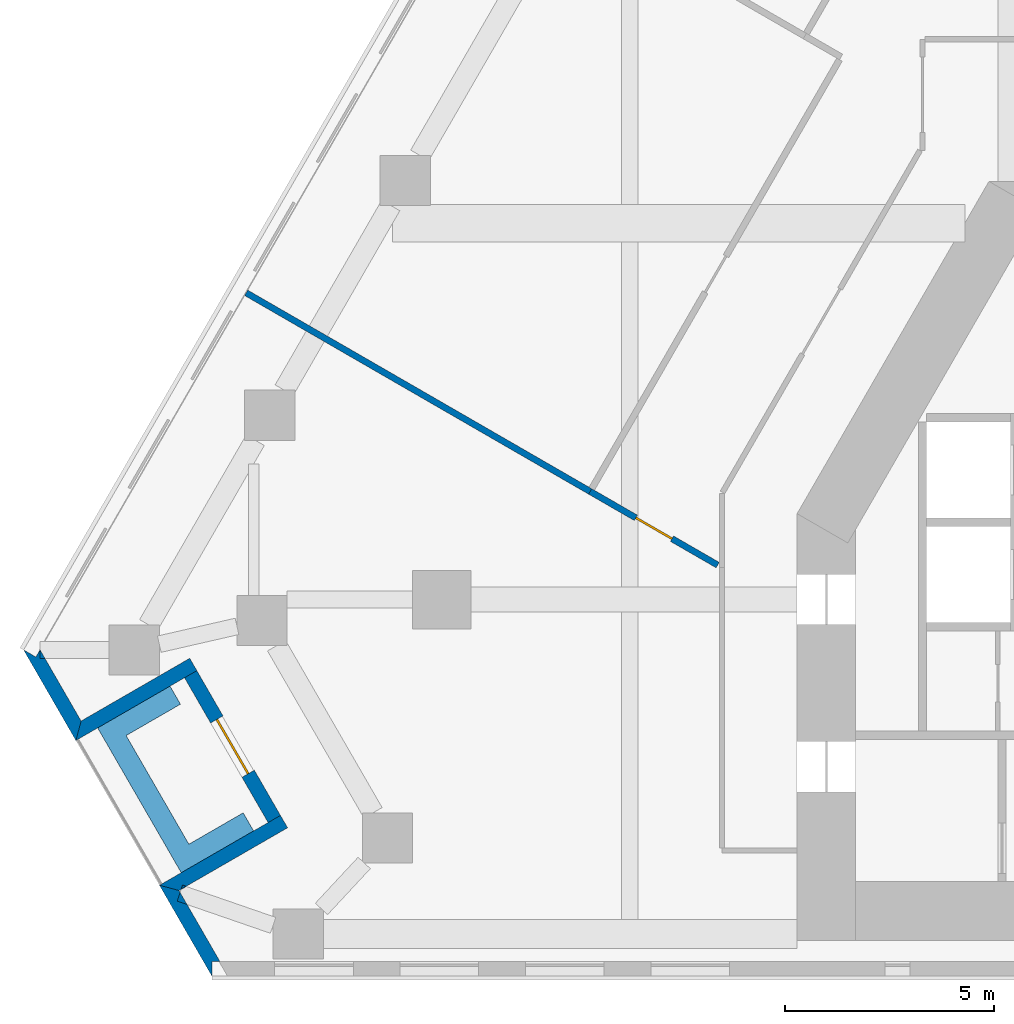
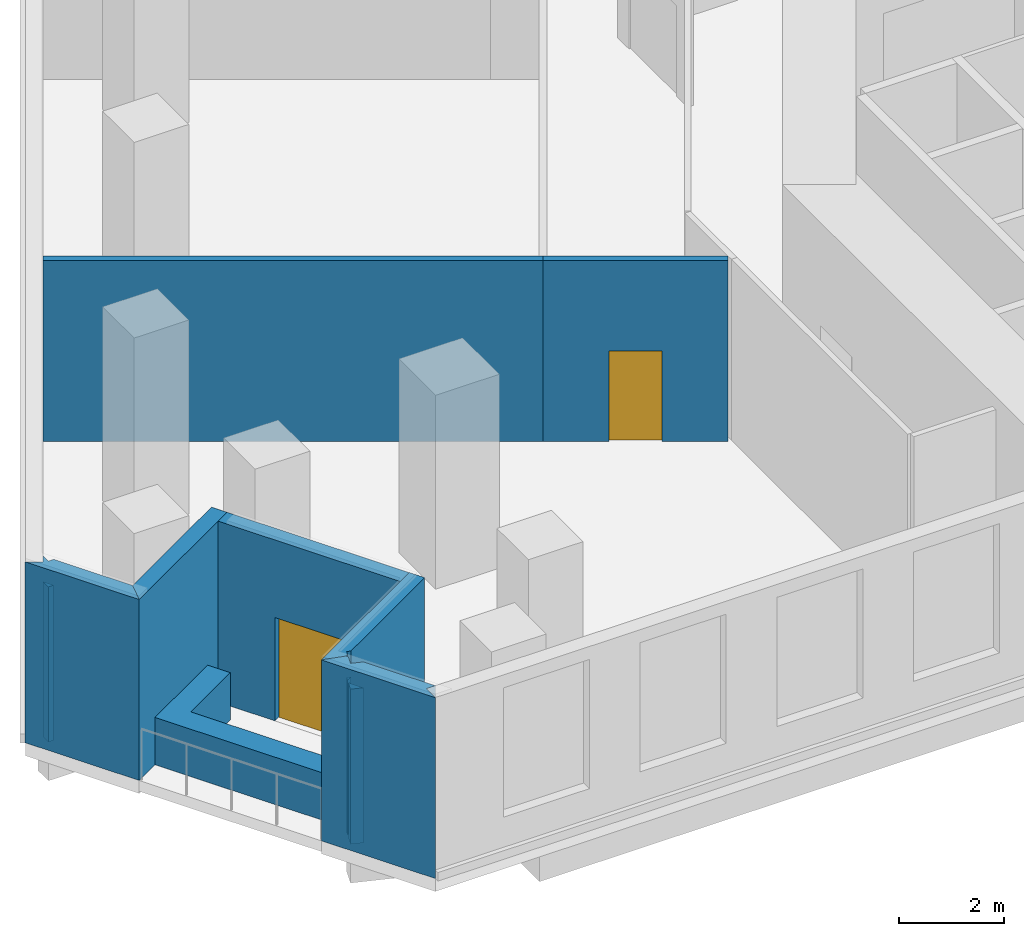
# One storey, part 3 of 14: 11 walls, 2 doors, 2 openings.
"""IFC4 building model written with IfcOpenShell, lengths in metres."""

from ifc_helpers import new_model, si_unit, direction, frame, frame_2d, origin, place, context, subcontext, project, spatial, polyline, rectangle, outline, extrude, material, layer, layer_set, type_object, element, fill, save


model = new_model("IFC4")

# Units and contexts
model_context = context("Model", 3, precision=1e-05, world=origin(), true_north=direction((0.0, 1.0)))
body_context = subcontext(model_context, "Body", "Model", "MODEL_VIEW")
ifc_project = project(units=[si_unit("LENGTHUNIT", "METRE"), si_unit("AREAUNIT", "SQUARE_METRE"), si_unit("VOLUMEUNIT", "CUBIC_METRE"), si_unit("PLANEANGLEUNIT", "RADIAN"), si_unit("MASSUNIT", "GRAM", prefix="KILO")], contexts=[model_context])

# Site, building, storey
site_placement = place(None, origin())
site = spatial("IfcSite", under=ifc_project, at=site_placement, CompositionType="ELEMENT")
building_placement = place(site_placement, origin())
building = spatial("IfcBuilding", under=site, at=building_placement, Name="Fogline Exchange Tower", CompositionType="ELEMENT")
storey_placement = place(building_placement, frame((0.0, 0.0, 34.0)))
storey = spatial("IfcBuildingStorey", under=building, at=storey_placement, Name="L06", CompositionType="ELEMENT", Elevation=34.0)

# Walls
ifc_material_1 = material(Name="Brick masonry", Category="masonry")
ifc_layer_1 = layer(ifc_material_1, 0.340087890625)
ifc_layer_set_1 = layer_set([ifc_layer_1], Name="FW1")
wall_type_1 = type_object("IfcWallType", Name="FW1", PredefinedType="SOLIDWALL", material=ifc_layer_set_1)
wall_1_placement = place(storey_placement, origin())
element("IfcWall", 1, at=wall_1_placement, inside=storey, type_object=wall_type_1, Name="Brick wall L06 SW-c1", PredefinedType="SOLIDWALL", context=body_context, shape_type="SweptSolid", body=[
    extrude(outline(polyline([(-31.9912109375, 7.59423828125), (-32.107421875, 7.59423828125), (-32.107421875, 7.79541015625), (-31.9912109375, 7.59423828125)])), origin(), (0.0, 0.0, 1.0), 3.60009765625),
])
wall_2_placement = place(storey_placement, origin())
element("IfcWall", 2, at=wall_2_placement, inside=storey, type_object=wall_type_1, Name="Brick wall L06 SW-c1", PredefinedType="SOLIDWALL", context=body_context, shape_type="SweptSolid", body=[
    extrude(outline(polyline([(-32.5009765625, 7.794921875), (-32.500732421875, 7.79541015625), (-32.205810546875, 7.625), (-32.107421875, 7.79541015625), (-32.107421875, 7.59423828125), (-31.9912109375, 7.59423828125), (-31.125, 6.09375), (-31.249755859375, 5.6279296875), (-31.25, 5.6279296875), (-32.5009765625, 7.794921875)])), origin(), (0.0, 0.0, 1.0), 4.199951171875),
])
wall_3_placement = place(storey_placement, origin())
element("IfcWall", 3, at=wall_3_placement, inside=storey, type_object=wall_type_1, Name="Brick wall L06 SW-s1", PredefinedType="SOLIDWALL", context=body_context, shape_type="SweptSolid", body=[
    extrude(outline(polyline([(-28.52734375, 7.594482421875), (-28.356689453125, 7.298828125), (-28.651611328125, 7.128662109375), (-31.25048828125, 5.628173828125), (-31.250732421875, 5.62841796875), (-31.1259765625, 6.093994140625), (-28.52734375, 7.594482421875)])), origin(), (0.0, 0.0, 1.0), 4.199951171875),
])

# Wall, opening, door
wall_4_placement = place(storey_placement, frame((-28.504638671875, 7.214111328125, 0.0), z_axis=(0.0, 0.0, 1.0), x_axis=(0.49999894854, -0.866026010844, 0.0)))
wall_4 = element("IfcWall", 4, at=wall_4_placement, inside=storey, type_object=wall_type_1, Name="Brick wall L06 SW-bk", PredefinedType="SOLIDWALL", context=body_context, shape_type="SweptSolid", body=[
    extrude(rectangle(XDim=4.0, YDim=0.340087890625, at=frame_2d((2.0, 0.0))), origin(), (0.0, 0.0, 1.0), 4.199951171875),
])
opening_1_placement = place(wall_4_placement, frame((1.25, 0.0, 0.0)))
opening_1 = element("IfcOpeningElement", 5, at=opening_1_placement, cuts=wall_4, Name="Opening T01-E021", PredefinedType="OPENING", context=body_context, shape_type="SweptSolid", body=[
    extrude(rectangle(XDim=1.5, YDim=2.39990234375, at=frame_2d((0.75, 1.199951171875))), frame((0.0, 0.18017578125, 0.0), z_axis=(0.0, -1.0, 0.0), x_axis=(1.0, 0.0, 0.0)), (0.0, 0.0, 1.0), 0.360107421875),
])
ifc_material_2 = material(Name="Aluminium and glass", Category="aluminium")
door_type_1 = type_object("IfcDoorType", Name="ED4", OperationType="SINGLE_SWING_LEFT", PredefinedType="DOOR", material=ifc_material_2)
door_1_placement = place(opening_1_placement, frame((1.5, 0.0, 0.0), z_axis=(0.0, 0.0, 1.0), x_axis=(-1.0, 0.0, 0.0)))
door_1 = element("IfcDoor", 6, at=door_1_placement, inside=storey, type_object=door_type_1, Name="Balcony door L06 SW", OperationType="DOUBLE_DOOR_SINGLE_SWING", OverallHeight=2.39990234375, OverallWidth=1.5, PredefinedType="DOOR", context=body_context, shape_type="SweptSolid", body=[
    extrude(rectangle(XDim=1.5, YDim=2.39990234375, at=frame_2d((0.75, 1.199951171875))), frame((0.0, 0.02490234375, 0.0), z_axis=(0.0, -1.0, 0.0), x_axis=(1.0, 0.0, 0.0)), (0.0, 0.0, 1.0), 0.050048828125),
])
fill(opening_1, door_1)

# Walls
wall_5_placement = place(storey_placement, origin())
element("IfcWall", 7, at=wall_5_placement, inside=storey, type_object=wall_type_1, Name="Brick wall L06 SW-s2", PredefinedType="SOLIDWALL", context=body_context, shape_type="SweptSolid", body=[
    extrude(outline(polyline([(-28.7294921875, 2.072265625), (-28.697265625, 2.16552734375), (-28.616455078125, 2.1376953125), (-28.7294921875, 2.072265625)])), origin(), (0.0, 0.0, 1.0), 3.60009765625),
])
wall_6_placement = place(storey_placement, origin())
element("IfcWall", 8, at=wall_6_placement, inside=storey, type_object=wall_type_1, Name="Brick wall L06 SW-s2", PredefinedType="SOLIDWALL", context=body_context, shape_type="SweptSolid", body=[
    extrude(outline(polyline([(-26.652099609375, 3.66552734375), (-26.357177734375, 3.8359375), (-26.186767578125, 3.540283203125), (-28.616455078125, 2.1376953125), (-28.697265625, 2.16552734375), (-28.7294921875, 2.072265625), (-28.785400390625, 2.0400390625), (-29.251220703125, 2.164794921875), (-29.251220703125, 2.1650390625), (-26.652099609375, 3.66552734375)])), origin(), (0.0, 0.0, 1.0), 4.199951171875),
])
wall_7_placement = place(storey_placement, origin())
element("IfcWall", 9, at=wall_7_placement, inside=storey, type_object=wall_type_1, Name="Brick wall L06 SW-c2", PredefinedType="SOLIDWALL", context=body_context, shape_type="SweptSolid", body=[
    extrude(outline(polyline([(-28.591552734375, 1.705810546875), (-28.827880859375, 1.787353515625), (-28.757080078125, 1.992431640625), (-28.591552734375, 1.705810546875)])), origin(), (0.0, 0.0, 1.0), 3.60009765625),
])
wall_8_placement = place(storey_placement, origin())
element("IfcWall", 10, at=wall_8_placement, inside=storey, type_object=wall_type_1, Name="Brick wall L06 SW-c2", PredefinedType="SOLIDWALL", context=body_context, shape_type="SweptSolid", body=[
    extrude(outline(polyline([(-27.99951171875, 0.33935546875), (-27.99951171875, -0.0009765625), (-28.0, -0.001220703125), (-29.2509765625, 2.165771484375), (-29.2509765625, 2.166015625), (-28.78515625, 2.041015625), (-28.757080078125, 1.992431640625), (-28.827880859375, 1.787353515625), (-28.591552734375, 1.705810546875), (-27.802734375, 0.33935546875), (-27.99951171875, 0.33935546875)])), origin(), (0.0, 0.0, 1.0), 4.199951171875),
])
ifc_material_3 = material(Name="Concrete C30", Category="concrete")
ifc_layer_2 = layer(ifc_material_3, 0.199951171875)
ifc_layer_set_2 = layer_set([ifc_layer_2], Name="PL1")
wall_type_2 = type_object("IfcWallType", Name="PL1", PredefinedType="USERDEFINED", material=ifc_layer_set_2)
wall_9_placement = place(storey_placement, origin())
element("IfcWall", 11, at=wall_9_placement, inside=storey, type_object=wall_type_2, Name="PLANTER balcony L06 SW", ObjectType="PLANTER", PredefinedType="USERDEFINED", context=body_context, shape_type="SweptSolid", body=[
    extrude(outline(polyline([(-27.248291015625, 3.898193359375), (-28.54736328125, 3.148193359375), (-30.04736328125, 5.74609375), (-28.748291015625, 6.49609375), (-28.998291015625, 6.92919921875), (-30.73046875, 5.92919921875), (-30.48046875, 5.49609375), (-28.73046875, 2.465087890625), (-28.29736328125, 2.715087890625), (-28.29736328125, 2.715087890625), (-26.998291015625, 3.465087890625), (-27.248291015625, 3.898193359375)])), origin(), (0.0, 0.0, 1.0), 1.10009765625),
])

# Wall, opening, door
ifc_material_4 = material(Name="Plasterboard demising partition with mineral wool and acoustic board")
ifc_layer_3 = layer(ifc_material_4, 0.14990234375)
ifc_layer_set_3 = layer_set([ifc_layer_3], Name="PW3")
wall_type_3 = type_object("IfcWallType", Name="PW3", PredefinedType="PARTITIONING", material=ifc_layer_set_3)
wall_10_placement = place(storey_placement, frame((-15.900390625, 9.823974609375, 0.0), z_axis=(0.0, 0.0, 1.0), x_axis=(-0.866058575552, 0.499942540411, 0.0)))
wall_10 = element("IfcWall", 12, at=wall_10_placement, inside=storey, type_object=wall_type_3, Name="wall-L06-W035", PredefinedType="PARTITIONING", context=body_context, shape_type="SweptSolid", body=[
    extrude(rectangle(XDim=3.52099609375, YDim=0.14990234375, at=frame_2d((1.760498046875, 0.0))), origin(), (0.0, 0.0, 1.0), 4.199951171875),
])
opening_2_placement = place(wall_10_placement, frame((1.260498046875, 0.0, 0.0)))
opening_2 = element("IfcOpeningElement", 13, at=opening_2_placement, cuts=wall_10, Name="Opening T01-D013", PredefinedType="OPENING", context=body_context, shape_type="SweptSolid", body=[
    extrude(rectangle(XDim=1.0, YDim=2.10009765625, at=frame_2d((0.5, 1.050048828125))), frame((0.0, 0.0849609375, 0.0), z_axis=(0.0, -1.0, 0.0), x_axis=(1.0, 0.0, 0.0)), (0.0, 0.0, 1.0), 0.169921875),
])
ifc_material_5 = material(Name="Fire-rated timber door leaf with steel frame", Category="steel")
door_type_2 = type_object("IfcDoorType", Name="D3", OperationType="SINGLE_SWING_LEFT", PredefinedType="DOOR", material=ifc_material_5)
door_2_placement = place(opening_2_placement, origin())
door_2 = element("IfcDoor", 14, at=door_2_placement, inside=storey, type_object=door_type_2, Name="door-L06-D013", OperationType="SINGLE_SWING_RIGHT", OverallHeight=2.10009765625, OverallWidth=1.0, PredefinedType="DOOR", context=body_context, shape_type="SweptSolid", body=[
    extrude(rectangle(XDim=1.0, YDim=2.10009765625, at=frame_2d((0.5, 1.050048828125))), frame((0.0, 0.02490234375, 0.0), z_axis=(0.0, -1.0, 0.0), x_axis=(1.0, 0.0, 0.0)), (0.0, 0.0, 1.0), 0.050048828125),
])
fill(opening_2, door_2)

# Wall
wall_11_placement = place(storey_placement, frame((-18.94970703125, 11.584228515625, 0.0), z_axis=(0.0, 0.0, 1.0), x_axis=(-0.866020389056, 0.500008685663, 0.0)))
element("IfcWall", 15, at=wall_11_placement, inside=storey, type_object=wall_type_3, Name="wall-L06-W044", PredefinedType="PARTITIONING", context=body_context, shape_type="SweptSolid", body=[
    extrude(rectangle(XDim=9.499755859375, YDim=0.14990234375, at=frame_2d((4.75, 0.0))), origin(), (0.0, 0.0, 1.0), 4.199951171875),
])

save(model, "model.ifc")
